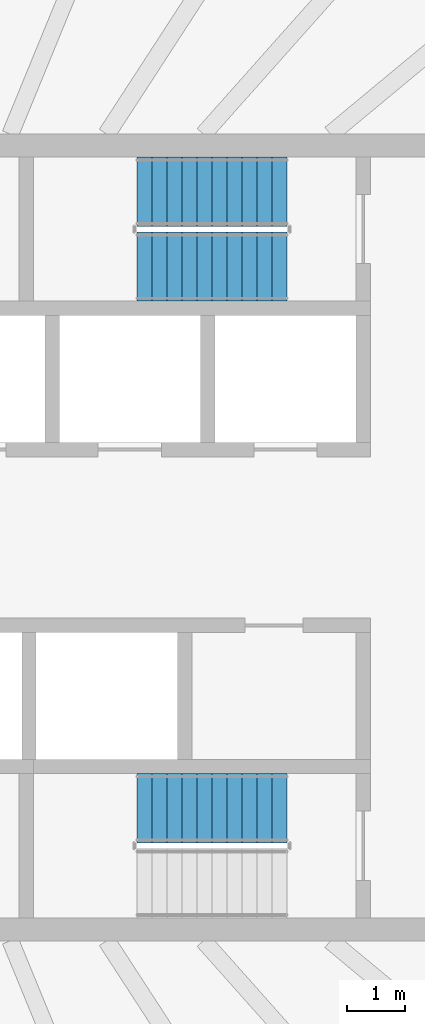
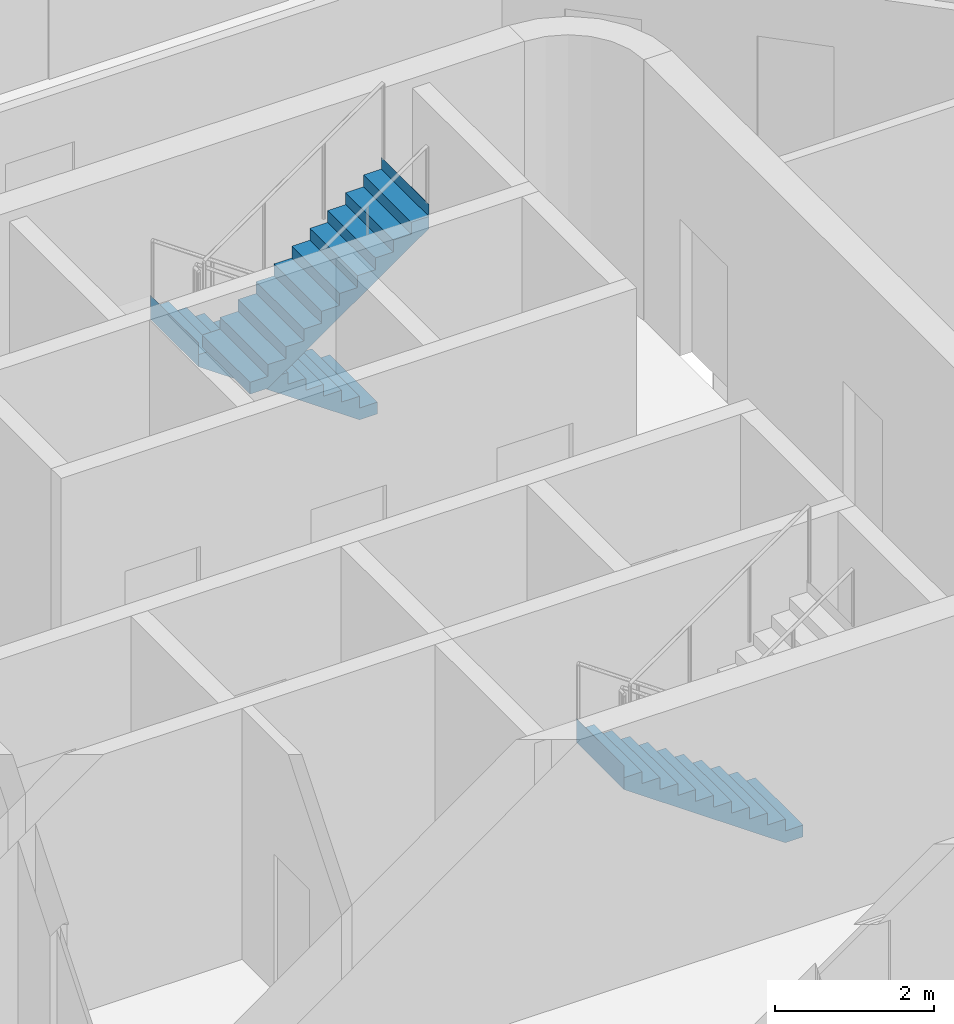
# One storey, part 13 of 19: 3 stair flights, 2 elements without a shape of their own.
"""IFC4 building model written with IfcOpenShell, lengths in metres."""

from ifc_helpers import new_model, si_unit, direction, frame, origin, place, context, subcontext, project, spatial, triangles, material, type_object, element, aggregate, save


model = new_model("IFC4")

# Units and contexts
model_context = context("Model", 3, precision=1e-05, world=origin(), true_north=direction((0.0, 1.0)))
body_context = subcontext(model_context, "Body", "Model", "MODEL_VIEW")
ifc_project = project(units=[si_unit("LENGTHUNIT", "METRE"), si_unit("AREAUNIT", "SQUARE_METRE"), si_unit("VOLUMEUNIT", "CUBIC_METRE"), si_unit("PLANEANGLEUNIT", "RADIAN"), si_unit("MASSUNIT", "GRAM", prefix="KILO")], contexts=[model_context])

# Site, building, storey
site_placement = place(None, origin())
site = spatial("IfcSite", under=ifc_project, at=site_placement, CompositionType="ELEMENT")
building_placement = place(site_placement, origin())
building = spatial("IfcBuilding", under=site, at=building_placement, Name="Sahrelin Media Tower", CompositionType="ELEMENT")
storey_placement = place(building_placement, frame((0.0, 0.0, 287.0)))
storey = spatial("IfcBuildingStorey", under=building, at=storey_placement, Name="L63", CompositionType="ELEMENT", Elevation=287.0)

# Stair, stair flights
ifc_material = material(Name="Concrete C40/50", Category="concrete")
stair_type = type_object("IfcStairType", Name="Exit stair 1200", PredefinedType="HALF_TURN_STAIR", material=ifc_material)
placement = place(storey_placement, origin())
stair_1 = element("IfcStair", 1, at=placement, inside=storey, type_object=stair_type, Name="L63 Exit stair ST3", PredefinedType="HALF_TURN_STAIR")
stair_flight_type = type_object("IfcStairFlightType", Name="Stair flight 1200", PredefinedType="STRAIGHT", material=ifc_material)
stair_flight_1_placement = place(storey_placement, frame((7.675048828125, 6.0, 0.0), z_axis=(0.0, 0.0, 1.0), x_axis=(-1.0, 0.0, 0.0)))
stair_flight_1 = element("IfcStairFlight", 2, at=stair_flight_1_placement, type_object=stair_flight_type, Name="ST3 flight 1", NumberOfRisers=11, NumberOfTreads=10, PredefinedType="STRAIGHT", RiserHeight=0.181818182, TreadLength=0.26, context=body_context, shape_type="Tessellation", body=[
    triangles([(0.261474609375, 0.60009765625, 0.0), (0.261474609375, 0.300048828125, 0.0), (0.261474609375, 0.0, 0.0), (0.261474609375, -0.300048828125, 0.0), (0.261474609375, -0.60009765625, 0.0), (2.60009765625, 0.60009765625, 1.63525390625), (2.60009765625, 0.300048828125, 1.63525390625), (2.60009765625, 0.0, 1.63525390625), (2.60009765625, -0.300048828125, 1.63525390625), (2.60009765625, -0.60009765625, 1.63525390625), (2.60009765625, 0.60009765625, 2.0), (2.60009765625, 0.300048828125, 2.0), (2.60009765625, 0.0, 2.0), (2.60009765625, -0.300048828125, 2.0), (2.60009765625, -0.60009765625, 2.0), (2.597900390625, 0.60009765625, 2.0), (2.597900390625, 0.300048828125, 2.0), (2.597900390625, 0.0, 2.0), (2.597900390625, -0.300048828125, 2.0), (2.597900390625, -0.60009765625, 2.0), (2.597900390625, 0.60009765625, 1.818115234375), (2.597900390625, 0.300048828125, 1.818115234375), (2.597900390625, 0.0, 1.818115234375), (2.597900390625, -0.300048828125, 1.818115234375), (2.597900390625, -0.60009765625, 1.818115234375), (2.340087890625, 0.60009765625, 1.818115234375), (2.340087890625, 0.300048828125, 1.818115234375), (2.340087890625, 0.0, 1.818115234375), (2.340087890625, -0.300048828125, 1.818115234375), (2.340087890625, -0.60009765625, 1.818115234375), (2.340087890625, 0.60009765625, 1.636474609375), (2.340087890625, 0.300048828125, 1.636474609375), (2.340087890625, 0.0, 1.636474609375), (2.340087890625, -0.300048828125, 1.636474609375), (2.340087890625, -0.60009765625, 1.636474609375), (2.080078125, 0.60009765625, 1.636474609375), (2.080078125, 0.300048828125, 1.636474609375), (2.080078125, 0.0, 1.636474609375), (2.080078125, -0.300048828125, 1.636474609375), (2.080078125, -0.60009765625, 1.636474609375), (2.080078125, 0.60009765625, 1.45458984375), (2.080078125, 0.300048828125, 1.45458984375), (2.080078125, 0.0, 1.45458984375), (2.080078125, -0.300048828125, 1.45458984375), (2.080078125, -0.60009765625, 1.45458984375), (1.820068359375, 0.60009765625, 1.45458984375), (1.820068359375, 0.300048828125, 1.45458984375), (1.820068359375, 0.0, 1.45458984375), (1.820068359375, -0.300048828125, 1.45458984375), (1.820068359375, -0.60009765625, 1.45458984375), (1.820068359375, 0.60009765625, 1.272705078125), (1.820068359375, 0.300048828125, 1.272705078125), (1.820068359375, 0.0, 1.272705078125), (1.820068359375, -0.300048828125, 1.272705078125), (1.820068359375, -0.60009765625, 1.272705078125), (1.56005859375, 0.60009765625, 1.272705078125), (1.56005859375, 0.300048828125, 1.272705078125), (1.56005859375, 0.0, 1.272705078125), (1.56005859375, -0.300048828125, 1.272705078125), (1.56005859375, -0.60009765625, 1.272705078125), (1.56005859375, 0.60009765625, 1.0908203125), (1.56005859375, 0.300048828125, 1.0908203125), (1.56005859375, 0.0, 1.0908203125), (1.56005859375, -0.300048828125, 1.0908203125), (1.56005859375, -0.60009765625, 1.0908203125), (1.300048828125, 0.60009765625, 1.0908203125), (1.300048828125, 0.300048828125, 1.0908203125), (1.300048828125, 0.0, 1.0908203125), (1.300048828125, -0.300048828125, 1.0908203125), (1.300048828125, -0.60009765625, 1.0908203125), (1.300048828125, 0.60009765625, 0.9091796875), (1.300048828125, 0.300048828125, 0.9091796875), (1.300048828125, 0.0, 0.9091796875), (1.300048828125, -0.300048828125, 0.9091796875), (1.300048828125, -0.60009765625, 0.9091796875), (1.0400390625, 0.60009765625, 0.9091796875), (1.0400390625, 0.300048828125, 0.9091796875), (1.0400390625, 0.0, 0.9091796875), (1.0400390625, -0.300048828125, 0.9091796875), (1.0400390625, -0.60009765625, 0.9091796875), (1.0400390625, 0.60009765625, 0.727294921875), (1.0400390625, 0.300048828125, 0.727294921875), (1.0400390625, 0.0, 0.727294921875), (1.0400390625, -0.300048828125, 0.727294921875), (1.0400390625, -0.60009765625, 0.727294921875), (0.780029296875, 0.60009765625, 0.727294921875), (0.780029296875, 0.300048828125, 0.727294921875), (0.780029296875, 0.0, 0.727294921875), (0.780029296875, -0.300048828125, 0.727294921875), (0.780029296875, -0.60009765625, 0.727294921875), (0.780029296875, 0.60009765625, 0.54541015625), (0.780029296875, 0.300048828125, 0.54541015625), (0.780029296875, 0.0, 0.54541015625), (0.780029296875, -0.300048828125, 0.54541015625), (0.780029296875, -0.60009765625, 0.54541015625), (0.52001953125, 0.60009765625, 0.54541015625), (0.52001953125, 0.300048828125, 0.54541015625), (0.52001953125, 0.0, 0.54541015625), (0.52001953125, -0.300048828125, 0.54541015625), (0.52001953125, -0.60009765625, 0.54541015625), (0.52001953125, 0.60009765625, 0.363525390625), (0.52001953125, 0.300048828125, 0.363525390625), (0.52001953125, 0.0, 0.363525390625), (0.52001953125, -0.300048828125, 0.363525390625), (0.52001953125, -0.60009765625, 0.363525390625), (0.260009765625, 0.60009765625, 0.363525390625), (0.260009765625, 0.300048828125, 0.363525390625), (0.260009765625, 0.0, 0.363525390625), (0.260009765625, -0.300048828125, 0.363525390625), (0.260009765625, -0.60009765625, 0.363525390625), (0.260009765625, 0.60009765625, 0.181884765625), (0.260009765625, 0.300048828125, 0.181884765625), (0.260009765625, 0.0, 0.181884765625), (0.260009765625, -0.300048828125, 0.181884765625), (0.260009765625, -0.60009765625, 0.181884765625), (0.0, 0.60009765625, 0.181884765625), (0.0, 0.300048828125, 0.181884765625), (0.0, 0.0, 0.181884765625), (0.0, -0.300048828125, 0.181884765625), (0.0, -0.60009765625, 0.181884765625), (0.0, 0.60009765625, 0.0), (0.0, 0.300048828125, 0.0), (0.0, 0.0, 0.0), (0.0, -0.300048828125, 0.0), (0.0, -0.60009765625, 0.0)], [[1, 6, 7], [1, 7, 2], [2, 7, 8], [2, 8, 3], [3, 8, 9], [3, 9, 4], [4, 9, 10], [4, 10, 5], [6, 11, 12], [6, 12, 7], [7, 12, 13], [7, 13, 8], [8, 13, 14], [8, 14, 9], [9, 14, 15], [9, 15, 10], [11, 16, 17], [11, 17, 12], [12, 17, 18], [12, 18, 13], [13, 18, 19], [13, 19, 14], [14, 19, 20], [14, 20, 15], [16, 21, 22], [16, 22, 17], [17, 22, 23], [17, 23, 18], [18, 23, 24], [18, 24, 19], [19, 24, 25], [19, 25, 20], [21, 26, 27], [21, 27, 22], [22, 27, 28], [22, 28, 23], [23, 28, 29], [23, 29, 24], [24, 29, 30], [24, 30, 25], [26, 31, 32], [26, 32, 27], [27, 32, 33], [27, 33, 28], [28, 33, 34], [28, 34, 29], [29, 34, 35], [29, 35, 30], [31, 36, 37], [31, 37, 32], [32, 37, 38], [32, 38, 33], [33, 38, 39], [33, 39, 34], [34, 39, 40], [34, 40, 35], [36, 41, 42], [36, 42, 37], [37, 42, 43], [37, 43, 38], [38, 43, 44], [38, 44, 39], [39, 44, 45], [39, 45, 40], [41, 46, 47], [41, 47, 42], [42, 47, 48], [42, 48, 43], [43, 48, 49], [43, 49, 44], [44, 49, 50], [44, 50, 45], [46, 51, 52], [46, 52, 47], [47, 52, 53], [47, 53, 48], [48, 53, 54], [48, 54, 49], [49, 54, 55], [49, 55, 50], [51, 56, 57], [51, 57, 52], [52, 57, 58], [52, 58, 53], [53, 58, 59], [53, 59, 54], [54, 59, 60], [54, 60, 55], [56, 61, 62], [56, 62, 57], [57, 62, 63], [57, 63, 58], [58, 63, 64], [58, 64, 59], [59, 64, 65], [59, 65, 60], [61, 66, 67], [61, 67, 62], [62, 67, 68], [62, 68, 63], [63, 68, 69], [63, 69, 64], [64, 69, 70], [64, 70, 65], [66, 71, 72], [66, 72, 67], [67, 72, 73], [67, 73, 68], [68, 73, 74], [68, 74, 69], [69, 74, 75], [69, 75, 70], [71, 76, 77], [71, 77, 72], [72, 77, 78], [72, 78, 73], [73, 78, 79], [73, 79, 74], [74, 79, 80], [74, 80, 75], [76, 81, 82], [76, 82, 77], [77, 82, 83], [77, 83, 78], [78, 83, 84], [78, 84, 79], [79, 84, 85], [79, 85, 80], [81, 86, 87], [81, 87, 82], [82, 87, 88], [82, 88, 83], [83, 88, 89], [83, 89, 84], [84, 89, 90], [84, 90, 85], [86, 91, 92], [86, 92, 87], [87, 92, 93], [87, 93, 88], [88, 93, 94], [88, 94, 89], [89, 94, 95], [89, 95, 90], [91, 96, 97], [91, 97, 92], [92, 97, 98], [92, 98, 93], [93, 98, 99], [93, 99, 94], [94, 99, 100], [94, 100, 95], [96, 101, 102], [96, 102, 97], [97, 102, 103], [97, 103, 98], [98, 103, 104], [98, 104, 99], [99, 104, 105], [99, 105, 100], [101, 106, 107], [101, 107, 102], [102, 107, 108], [102, 108, 103], [103, 108, 109], [103, 109, 104], [104, 109, 110], [104, 110, 105], [106, 111, 112], [106, 112, 107], [107, 112, 113], [107, 113, 108], [108, 113, 114], [108, 114, 109], [109, 114, 115], [109, 115, 110], [111, 116, 117], [111, 117, 112], [112, 117, 118], [112, 118, 113], [113, 118, 119], [113, 119, 114], [114, 119, 120], [114, 120, 115], [116, 121, 122], [116, 122, 117], [117, 122, 123], [117, 123, 118], [118, 123, 124], [118, 124, 119], [119, 124, 125], [119, 125, 120], [121, 1, 2], [121, 2, 122], [122, 2, 3], [122, 3, 123], [123, 3, 4], [123, 4, 124], [124, 4, 5], [124, 5, 125], [115, 120, 125], [111, 121, 116], [115, 105, 110], [111, 106, 101], [105, 95, 100], [101, 96, 91], [95, 85, 90], [91, 86, 81], [85, 75, 80], [81, 76, 71], [75, 65, 70], [71, 66, 61], [65, 55, 60], [61, 56, 51], [55, 45, 50], [51, 46, 41], [45, 35, 40], [41, 36, 31], [35, 25, 30], [31, 26, 21], [25, 15, 20], [21, 16, 11], [125, 5, 115], [121, 111, 1], [25, 10, 15], [21, 11, 6], [105, 115, 5], [101, 1, 111], [35, 10, 25], [31, 21, 6], [95, 105, 5], [91, 1, 101], [45, 10, 35], [41, 31, 6], [85, 95, 5], [81, 1, 91], [55, 10, 45], [51, 41, 6], [75, 85, 5], [71, 1, 81], [65, 10, 55], [61, 51, 6], [5, 10, 75], [1, 71, 6], [75, 10, 65], [71, 61, 6]], closed=True),
])
stair_flight_2_placement = place(storey_placement, frame((5.074951171875, 4.699951171875, 2.0), z_axis=(0.0, 0.0, 1.0), x_axis=(1.0, 0.0, 0.0)))
stair_flight_2 = element("IfcStairFlight", 3, at=stair_flight_2_placement, type_object=stair_flight_type, Name="ST3 flight 2", NumberOfRisers=11, NumberOfTreads=10, PredefinedType="STRAIGHT", RiserHeight=0.181818182, TreadLength=0.26, context=body_context, shape_type="Tessellation", body=[
    triangles([(0.261474609375, 0.60009765625, 0.0), (0.261474609375, 0.300048828125, 0.0), (0.261474609375, 0.0, 0.0), (0.261474609375, -0.300048828125, 0.0), (0.261474609375, -0.60009765625, 0.0), (2.60009765625, 0.60009765625, 1.63525390625), (2.60009765625, 0.300048828125, 1.63525390625), (2.60009765625, 0.0, 1.63525390625), (2.60009765625, -0.300048828125, 1.63525390625), (2.60009765625, -0.60009765625, 1.63525390625), (2.60009765625, 0.60009765625, 2.0), (2.60009765625, 0.300048828125, 2.0), (2.60009765625, 0.0, 2.0), (2.60009765625, -0.300048828125, 2.0), (2.60009765625, -0.60009765625, 2.0), (2.597900390625, 0.60009765625, 2.0), (2.597900390625, 0.300048828125, 2.0), (2.597900390625, 0.0, 2.0), (2.597900390625, -0.300048828125, 2.0), (2.597900390625, -0.60009765625, 2.0), (2.597900390625, 0.60009765625, 1.818115234375), (2.597900390625, 0.300048828125, 1.818115234375), (2.597900390625, 0.0, 1.818115234375), (2.597900390625, -0.300048828125, 1.818115234375), (2.597900390625, -0.60009765625, 1.818115234375), (2.340087890625, 0.60009765625, 1.818115234375), (2.340087890625, 0.300048828125, 1.818115234375), (2.340087890625, 0.0, 1.818115234375), (2.340087890625, -0.300048828125, 1.818115234375), (2.340087890625, -0.60009765625, 1.818115234375), (2.340087890625, 0.60009765625, 1.636474609375), (2.340087890625, 0.300048828125, 1.636474609375), (2.340087890625, 0.0, 1.636474609375), (2.340087890625, -0.300048828125, 1.636474609375), (2.340087890625, -0.60009765625, 1.636474609375), (2.080078125, 0.60009765625, 1.636474609375), (2.080078125, 0.300048828125, 1.636474609375), (2.080078125, 0.0, 1.636474609375), (2.080078125, -0.300048828125, 1.636474609375), (2.080078125, -0.60009765625, 1.636474609375), (2.080078125, 0.60009765625, 1.45458984375), (2.080078125, 0.300048828125, 1.45458984375), (2.080078125, 0.0, 1.45458984375), (2.080078125, -0.300048828125, 1.45458984375), (2.080078125, -0.60009765625, 1.45458984375), (1.820068359375, 0.60009765625, 1.45458984375), (1.820068359375, 0.300048828125, 1.45458984375), (1.820068359375, 0.0, 1.45458984375), (1.820068359375, -0.300048828125, 1.45458984375), (1.820068359375, -0.60009765625, 1.45458984375), (1.820068359375, 0.60009765625, 1.272705078125), (1.820068359375, 0.300048828125, 1.272705078125), (1.820068359375, 0.0, 1.272705078125), (1.820068359375, -0.300048828125, 1.272705078125), (1.820068359375, -0.60009765625, 1.272705078125), (1.56005859375, 0.60009765625, 1.272705078125), (1.56005859375, 0.300048828125, 1.272705078125), (1.56005859375, 0.0, 1.272705078125), (1.56005859375, -0.300048828125, 1.272705078125), (1.56005859375, -0.60009765625, 1.272705078125), (1.56005859375, 0.60009765625, 1.0908203125), (1.56005859375, 0.300048828125, 1.0908203125), (1.56005859375, 0.0, 1.0908203125), (1.56005859375, -0.300048828125, 1.0908203125), (1.56005859375, -0.60009765625, 1.0908203125), (1.300048828125, 0.60009765625, 1.0908203125), (1.300048828125, 0.300048828125, 1.0908203125), (1.300048828125, 0.0, 1.0908203125), (1.300048828125, -0.300048828125, 1.0908203125), (1.300048828125, -0.60009765625, 1.0908203125), (1.300048828125, 0.60009765625, 0.9091796875), (1.300048828125, 0.300048828125, 0.9091796875), (1.300048828125, 0.0, 0.9091796875), (1.300048828125, -0.300048828125, 0.9091796875), (1.300048828125, -0.60009765625, 0.9091796875), (1.0400390625, 0.60009765625, 0.9091796875), (1.0400390625, 0.300048828125, 0.9091796875), (1.0400390625, 0.0, 0.9091796875), (1.0400390625, -0.300048828125, 0.9091796875), (1.0400390625, -0.60009765625, 0.9091796875), (1.0400390625, 0.60009765625, 0.727294921875), (1.0400390625, 0.300048828125, 0.727294921875), (1.0400390625, 0.0, 0.727294921875), (1.0400390625, -0.300048828125, 0.727294921875), (1.0400390625, -0.60009765625, 0.727294921875), (0.780029296875, 0.60009765625, 0.727294921875), (0.780029296875, 0.300048828125, 0.727294921875), (0.780029296875, 0.0, 0.727294921875), (0.780029296875, -0.300048828125, 0.727294921875), (0.780029296875, -0.60009765625, 0.727294921875), (0.780029296875, 0.60009765625, 0.54541015625), (0.780029296875, 0.300048828125, 0.54541015625), (0.780029296875, 0.0, 0.54541015625), (0.780029296875, -0.300048828125, 0.54541015625), (0.780029296875, -0.60009765625, 0.54541015625), (0.52001953125, 0.60009765625, 0.54541015625), (0.52001953125, 0.300048828125, 0.54541015625), (0.52001953125, 0.0, 0.54541015625), (0.52001953125, -0.300048828125, 0.54541015625), (0.52001953125, -0.60009765625, 0.54541015625), (0.52001953125, 0.60009765625, 0.363525390625), (0.52001953125, 0.300048828125, 0.363525390625), (0.52001953125, 0.0, 0.363525390625), (0.52001953125, -0.300048828125, 0.363525390625), (0.52001953125, -0.60009765625, 0.363525390625), (0.260009765625, 0.60009765625, 0.363525390625), (0.260009765625, 0.300048828125, 0.363525390625), (0.260009765625, 0.0, 0.363525390625), (0.260009765625, -0.300048828125, 0.363525390625), (0.260009765625, -0.60009765625, 0.363525390625), (0.260009765625, 0.60009765625, 0.181884765625), (0.260009765625, 0.300048828125, 0.181884765625), (0.260009765625, 0.0, 0.181884765625), (0.260009765625, -0.300048828125, 0.181884765625), (0.260009765625, -0.60009765625, 0.181884765625), (0.0, 0.60009765625, 0.181884765625), (0.0, 0.300048828125, 0.181884765625), (0.0, 0.0, 0.181884765625), (0.0, -0.300048828125, 0.181884765625), (0.0, -0.60009765625, 0.181884765625), (0.0, 0.60009765625, 0.0), (0.0, 0.300048828125, 0.0), (0.0, 0.0, 0.0), (0.0, -0.300048828125, 0.0), (0.0, -0.60009765625, 0.0)], [[1, 6, 7], [1, 7, 2], [2, 7, 8], [2, 8, 3], [3, 8, 9], [3, 9, 4], [4, 9, 10], [4, 10, 5], [6, 11, 12], [6, 12, 7], [7, 12, 13], [7, 13, 8], [8, 13, 14], [8, 14, 9], [9, 14, 15], [9, 15, 10], [11, 16, 17], [11, 17, 12], [12, 17, 18], [12, 18, 13], [13, 18, 19], [13, 19, 14], [14, 19, 20], [14, 20, 15], [16, 21, 22], [16, 22, 17], [17, 22, 23], [17, 23, 18], [18, 23, 24], [18, 24, 19], [19, 24, 25], [19, 25, 20], [21, 26, 27], [21, 27, 22], [22, 27, 28], [22, 28, 23], [23, 28, 29], [23, 29, 24], [24, 29, 30], [24, 30, 25], [26, 31, 32], [26, 32, 27], [27, 32, 33], [27, 33, 28], [28, 33, 34], [28, 34, 29], [29, 34, 35], [29, 35, 30], [31, 36, 37], [31, 37, 32], [32, 37, 38], [32, 38, 33], [33, 38, 39], [33, 39, 34], [34, 39, 40], [34, 40, 35], [36, 41, 42], [36, 42, 37], [37, 42, 43], [37, 43, 38], [38, 43, 44], [38, 44, 39], [39, 44, 45], [39, 45, 40], [41, 46, 47], [41, 47, 42], [42, 47, 48], [42, 48, 43], [43, 48, 49], [43, 49, 44], [44, 49, 50], [44, 50, 45], [46, 51, 52], [46, 52, 47], [47, 52, 53], [47, 53, 48], [48, 53, 54], [48, 54, 49], [49, 54, 55], [49, 55, 50], [51, 56, 57], [51, 57, 52], [52, 57, 58], [52, 58, 53], [53, 58, 59], [53, 59, 54], [54, 59, 60], [54, 60, 55], [56, 61, 62], [56, 62, 57], [57, 62, 63], [57, 63, 58], [58, 63, 64], [58, 64, 59], [59, 64, 65], [59, 65, 60], [61, 66, 67], [61, 67, 62], [62, 67, 68], [62, 68, 63], [63, 68, 69], [63, 69, 64], [64, 69, 70], [64, 70, 65], [66, 71, 72], [66, 72, 67], [67, 72, 73], [67, 73, 68], [68, 73, 74], [68, 74, 69], [69, 74, 75], [69, 75, 70], [71, 76, 77], [71, 77, 72], [72, 77, 78], [72, 78, 73], [73, 78, 79], [73, 79, 74], [74, 79, 80], [74, 80, 75], [76, 81, 82], [76, 82, 77], [77, 82, 83], [77, 83, 78], [78, 83, 84], [78, 84, 79], [79, 84, 85], [79, 85, 80], [81, 86, 87], [81, 87, 82], [82, 87, 88], [82, 88, 83], [83, 88, 89], [83, 89, 84], [84, 89, 90], [84, 90, 85], [86, 91, 92], [86, 92, 87], [87, 92, 93], [87, 93, 88], [88, 93, 94], [88, 94, 89], [89, 94, 95], [89, 95, 90], [91, 96, 97], [91, 97, 92], [92, 97, 98], [92, 98, 93], [93, 98, 99], [93, 99, 94], [94, 99, 100], [94, 100, 95], [96, 101, 102], [96, 102, 97], [97, 102, 103], [97, 103, 98], [98, 103, 104], [98, 104, 99], [99, 104, 105], [99, 105, 100], [101, 106, 107], [101, 107, 102], [102, 107, 108], [102, 108, 103], [103, 108, 109], [103, 109, 104], [104, 109, 110], [104, 110, 105], [106, 111, 112], [106, 112, 107], [107, 112, 113], [107, 113, 108], [108, 113, 114], [108, 114, 109], [109, 114, 115], [109, 115, 110], [111, 116, 117], [111, 117, 112], [112, 117, 118], [112, 118, 113], [113, 118, 119], [113, 119, 114], [114, 119, 120], [114, 120, 115], [116, 121, 122], [116, 122, 117], [117, 122, 123], [117, 123, 118], [118, 123, 124], [118, 124, 119], [119, 124, 125], [119, 125, 120], [121, 1, 2], [121, 2, 122], [122, 2, 3], [122, 3, 123], [123, 3, 4], [123, 4, 124], [124, 4, 5], [124, 5, 125], [115, 120, 125], [111, 121, 116], [115, 105, 110], [111, 106, 101], [105, 95, 100], [101, 96, 91], [95, 85, 90], [91, 86, 81], [85, 75, 80], [81, 76, 71], [75, 65, 70], [71, 66, 61], [65, 55, 60], [61, 56, 51], [55, 45, 50], [51, 46, 41], [45, 35, 40], [41, 36, 31], [35, 25, 30], [31, 26, 21], [25, 15, 20], [21, 16, 11], [125, 5, 115], [121, 111, 1], [25, 10, 15], [21, 11, 6], [105, 115, 5], [101, 1, 111], [35, 10, 25], [31, 21, 6], [95, 105, 5], [91, 1, 101], [45, 10, 35], [41, 31, 6], [85, 95, 5], [81, 1, 91], [55, 10, 45], [51, 41, 6], [75, 85, 5], [71, 1, 81], [65, 10, 55], [61, 51, 6], [5, 10, 75], [1, 71, 6], [75, 10, 65], [71, 61, 6]], closed=True),
])
aggregate(stair_1, [stair_flight_1, stair_flight_2])

# Stair, stair flight
stair_2 = element("IfcStair", 4, at=placement, inside=storey, type_object=stair_type, Name="L63 Exit stair ST2", PredefinedType="HALF_TURN_STAIR")
stair_flight_3_placement = place(storey_placement, frame((7.675048828125, -4.699951171875, 0.0), z_axis=(0.0, 0.0, 1.0), x_axis=(-1.0, 0.0, 0.0)))
stair_flight_3 = element("IfcStairFlight", 5, at=stair_flight_3_placement, type_object=stair_flight_type, Name="ST2 flight 1", NumberOfRisers=11, NumberOfTreads=10, PredefinedType="STRAIGHT", RiserHeight=0.181818182, TreadLength=0.26, context=body_context, shape_type="Tessellation", body=[
    triangles([(0.261474609375, 0.60009765625, 0.0), (0.261474609375, 0.300048828125, 0.0), (0.261474609375, 0.0, 0.0), (0.261474609375, -0.300048828125, 0.0), (0.261474609375, -0.60009765625, 0.0), (2.60009765625, 0.60009765625, 1.63525390625), (2.60009765625, 0.300048828125, 1.63525390625), (2.60009765625, 0.0, 1.63525390625), (2.60009765625, -0.300048828125, 1.63525390625), (2.60009765625, -0.60009765625, 1.63525390625), (2.60009765625, 0.60009765625, 2.0), (2.60009765625, 0.300048828125, 2.0), (2.60009765625, 0.0, 2.0), (2.60009765625, -0.300048828125, 2.0), (2.60009765625, -0.60009765625, 2.0), (2.597900390625, 0.60009765625, 2.0), (2.597900390625, 0.300048828125, 2.0), (2.597900390625, 0.0, 2.0), (2.597900390625, -0.300048828125, 2.0), (2.597900390625, -0.60009765625, 2.0), (2.597900390625, 0.60009765625, 1.818115234375), (2.597900390625, 0.300048828125, 1.818115234375), (2.597900390625, 0.0, 1.818115234375), (2.597900390625, -0.300048828125, 1.818115234375), (2.597900390625, -0.60009765625, 1.818115234375), (2.340087890625, 0.60009765625, 1.818115234375), (2.340087890625, 0.300048828125, 1.818115234375), (2.340087890625, 0.0, 1.818115234375), (2.340087890625, -0.300048828125, 1.818115234375), (2.340087890625, -0.60009765625, 1.818115234375), (2.340087890625, 0.60009765625, 1.636474609375), (2.340087890625, 0.300048828125, 1.636474609375), (2.340087890625, 0.0, 1.636474609375), (2.340087890625, -0.300048828125, 1.636474609375), (2.340087890625, -0.60009765625, 1.636474609375), (2.080078125, 0.60009765625, 1.636474609375), (2.080078125, 0.300048828125, 1.636474609375), (2.080078125, 0.0, 1.636474609375), (2.080078125, -0.300048828125, 1.636474609375), (2.080078125, -0.60009765625, 1.636474609375), (2.080078125, 0.60009765625, 1.45458984375), (2.080078125, 0.300048828125, 1.45458984375), (2.080078125, 0.0, 1.45458984375), (2.080078125, -0.300048828125, 1.45458984375), (2.080078125, -0.60009765625, 1.45458984375), (1.820068359375, 0.60009765625, 1.45458984375), (1.820068359375, 0.300048828125, 1.45458984375), (1.820068359375, 0.0, 1.45458984375), (1.820068359375, -0.300048828125, 1.45458984375), (1.820068359375, -0.60009765625, 1.45458984375), (1.820068359375, 0.60009765625, 1.272705078125), (1.820068359375, 0.300048828125, 1.272705078125), (1.820068359375, 0.0, 1.272705078125), (1.820068359375, -0.300048828125, 1.272705078125), (1.820068359375, -0.60009765625, 1.272705078125), (1.56005859375, 0.60009765625, 1.272705078125), (1.56005859375, 0.300048828125, 1.272705078125), (1.56005859375, 0.0, 1.272705078125), (1.56005859375, -0.300048828125, 1.272705078125), (1.56005859375, -0.60009765625, 1.272705078125), (1.56005859375, 0.60009765625, 1.0908203125), (1.56005859375, 0.300048828125, 1.0908203125), (1.56005859375, 0.0, 1.0908203125), (1.56005859375, -0.300048828125, 1.0908203125), (1.56005859375, -0.60009765625, 1.0908203125), (1.300048828125, 0.60009765625, 1.0908203125), (1.300048828125, 0.300048828125, 1.0908203125), (1.300048828125, 0.0, 1.0908203125), (1.300048828125, -0.300048828125, 1.0908203125), (1.300048828125, -0.60009765625, 1.0908203125), (1.300048828125, 0.60009765625, 0.9091796875), (1.300048828125, 0.300048828125, 0.9091796875), (1.300048828125, 0.0, 0.9091796875), (1.300048828125, -0.300048828125, 0.9091796875), (1.300048828125, -0.60009765625, 0.9091796875), (1.0400390625, 0.60009765625, 0.9091796875), (1.0400390625, 0.300048828125, 0.9091796875), (1.0400390625, 0.0, 0.9091796875), (1.0400390625, -0.300048828125, 0.9091796875), (1.0400390625, -0.60009765625, 0.9091796875), (1.0400390625, 0.60009765625, 0.727294921875), (1.0400390625, 0.300048828125, 0.727294921875), (1.0400390625, 0.0, 0.727294921875), (1.0400390625, -0.300048828125, 0.727294921875), (1.0400390625, -0.60009765625, 0.727294921875), (0.780029296875, 0.60009765625, 0.727294921875), (0.780029296875, 0.300048828125, 0.727294921875), (0.780029296875, 0.0, 0.727294921875), (0.780029296875, -0.300048828125, 0.727294921875), (0.780029296875, -0.60009765625, 0.727294921875), (0.780029296875, 0.60009765625, 0.54541015625), (0.780029296875, 0.300048828125, 0.54541015625), (0.780029296875, 0.0, 0.54541015625), (0.780029296875, -0.300048828125, 0.54541015625), (0.780029296875, -0.60009765625, 0.54541015625), (0.52001953125, 0.60009765625, 0.54541015625), (0.52001953125, 0.300048828125, 0.54541015625), (0.52001953125, 0.0, 0.54541015625), (0.52001953125, -0.300048828125, 0.54541015625), (0.52001953125, -0.60009765625, 0.54541015625), (0.52001953125, 0.60009765625, 0.363525390625), (0.52001953125, 0.300048828125, 0.363525390625), (0.52001953125, 0.0, 0.363525390625), (0.52001953125, -0.300048828125, 0.363525390625), (0.52001953125, -0.60009765625, 0.363525390625), (0.260009765625, 0.60009765625, 0.363525390625), (0.260009765625, 0.300048828125, 0.363525390625), (0.260009765625, 0.0, 0.363525390625), (0.260009765625, -0.300048828125, 0.363525390625), (0.260009765625, -0.60009765625, 0.363525390625), (0.260009765625, 0.60009765625, 0.181884765625), (0.260009765625, 0.300048828125, 0.181884765625), (0.260009765625, 0.0, 0.181884765625), (0.260009765625, -0.300048828125, 0.181884765625), (0.260009765625, -0.60009765625, 0.181884765625), (0.0, 0.60009765625, 0.181884765625), (0.0, 0.300048828125, 0.181884765625), (0.0, 0.0, 0.181884765625), (0.0, -0.300048828125, 0.181884765625), (0.0, -0.60009765625, 0.181884765625), (0.0, 0.60009765625, 0.0), (0.0, 0.300048828125, 0.0), (0.0, 0.0, 0.0), (0.0, -0.300048828125, 0.0), (0.0, -0.60009765625, 0.0)], [[1, 6, 7], [1, 7, 2], [2, 7, 8], [2, 8, 3], [3, 8, 9], [3, 9, 4], [4, 9, 10], [4, 10, 5], [6, 11, 12], [6, 12, 7], [7, 12, 13], [7, 13, 8], [8, 13, 14], [8, 14, 9], [9, 14, 15], [9, 15, 10], [11, 16, 17], [11, 17, 12], [12, 17, 18], [12, 18, 13], [13, 18, 19], [13, 19, 14], [14, 19, 20], [14, 20, 15], [16, 21, 22], [16, 22, 17], [17, 22, 23], [17, 23, 18], [18, 23, 24], [18, 24, 19], [19, 24, 25], [19, 25, 20], [21, 26, 27], [21, 27, 22], [22, 27, 28], [22, 28, 23], [23, 28, 29], [23, 29, 24], [24, 29, 30], [24, 30, 25], [26, 31, 32], [26, 32, 27], [27, 32, 33], [27, 33, 28], [28, 33, 34], [28, 34, 29], [29, 34, 35], [29, 35, 30], [31, 36, 37], [31, 37, 32], [32, 37, 38], [32, 38, 33], [33, 38, 39], [33, 39, 34], [34, 39, 40], [34, 40, 35], [36, 41, 42], [36, 42, 37], [37, 42, 43], [37, 43, 38], [38, 43, 44], [38, 44, 39], [39, 44, 45], [39, 45, 40], [41, 46, 47], [41, 47, 42], [42, 47, 48], [42, 48, 43], [43, 48, 49], [43, 49, 44], [44, 49, 50], [44, 50, 45], [46, 51, 52], [46, 52, 47], [47, 52, 53], [47, 53, 48], [48, 53, 54], [48, 54, 49], [49, 54, 55], [49, 55, 50], [51, 56, 57], [51, 57, 52], [52, 57, 58], [52, 58, 53], [53, 58, 59], [53, 59, 54], [54, 59, 60], [54, 60, 55], [56, 61, 62], [56, 62, 57], [57, 62, 63], [57, 63, 58], [58, 63, 64], [58, 64, 59], [59, 64, 65], [59, 65, 60], [61, 66, 67], [61, 67, 62], [62, 67, 68], [62, 68, 63], [63, 68, 69], [63, 69, 64], [64, 69, 70], [64, 70, 65], [66, 71, 72], [66, 72, 67], [67, 72, 73], [67, 73, 68], [68, 73, 74], [68, 74, 69], [69, 74, 75], [69, 75, 70], [71, 76, 77], [71, 77, 72], [72, 77, 78], [72, 78, 73], [73, 78, 79], [73, 79, 74], [74, 79, 80], [74, 80, 75], [76, 81, 82], [76, 82, 77], [77, 82, 83], [77, 83, 78], [78, 83, 84], [78, 84, 79], [79, 84, 85], [79, 85, 80], [81, 86, 87], [81, 87, 82], [82, 87, 88], [82, 88, 83], [83, 88, 89], [83, 89, 84], [84, 89, 90], [84, 90, 85], [86, 91, 92], [86, 92, 87], [87, 92, 93], [87, 93, 88], [88, 93, 94], [88, 94, 89], [89, 94, 95], [89, 95, 90], [91, 96, 97], [91, 97, 92], [92, 97, 98], [92, 98, 93], [93, 98, 99], [93, 99, 94], [94, 99, 100], [94, 100, 95], [96, 101, 102], [96, 102, 97], [97, 102, 103], [97, 103, 98], [98, 103, 104], [98, 104, 99], [99, 104, 105], [99, 105, 100], [101, 106, 107], [101, 107, 102], [102, 107, 108], [102, 108, 103], [103, 108, 109], [103, 109, 104], [104, 109, 110], [104, 110, 105], [106, 111, 112], [106, 112, 107], [107, 112, 113], [107, 113, 108], [108, 113, 114], [108, 114, 109], [109, 114, 115], [109, 115, 110], [111, 116, 117], [111, 117, 112], [112, 117, 118], [112, 118, 113], [113, 118, 119], [113, 119, 114], [114, 119, 120], [114, 120, 115], [116, 121, 122], [116, 122, 117], [117, 122, 123], [117, 123, 118], [118, 123, 124], [118, 124, 119], [119, 124, 125], [119, 125, 120], [121, 1, 2], [121, 2, 122], [122, 2, 3], [122, 3, 123], [123, 3, 4], [123, 4, 124], [124, 4, 5], [124, 5, 125], [115, 120, 125], [111, 121, 116], [115, 105, 110], [111, 106, 101], [105, 95, 100], [101, 96, 91], [95, 85, 90], [91, 86, 81], [85, 75, 80], [81, 76, 71], [75, 65, 70], [71, 66, 61], [65, 55, 60], [61, 56, 51], [55, 45, 50], [51, 46, 41], [45, 35, 40], [41, 36, 31], [35, 25, 30], [31, 26, 21], [25, 15, 20], [21, 16, 11], [125, 5, 115], [121, 111, 1], [25, 10, 15], [21, 11, 6], [105, 115, 5], [101, 1, 111], [35, 10, 25], [31, 21, 6], [95, 105, 5], [91, 1, 101], [45, 10, 35], [41, 31, 6], [85, 95, 5], [81, 1, 91], [55, 10, 45], [51, 41, 6], [75, 85, 5], [71, 1, 81], [65, 10, 55], [61, 51, 6], [5, 10, 75], [1, 71, 6], [75, 10, 65], [71, 61, 6]], closed=True),
])
aggregate(stair_2, [stair_flight_3])

save(model, "model.ifc")
